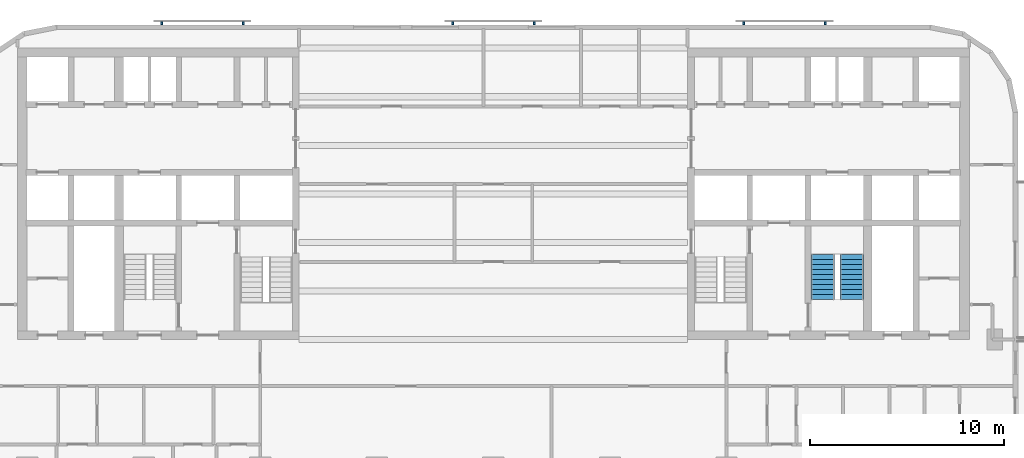
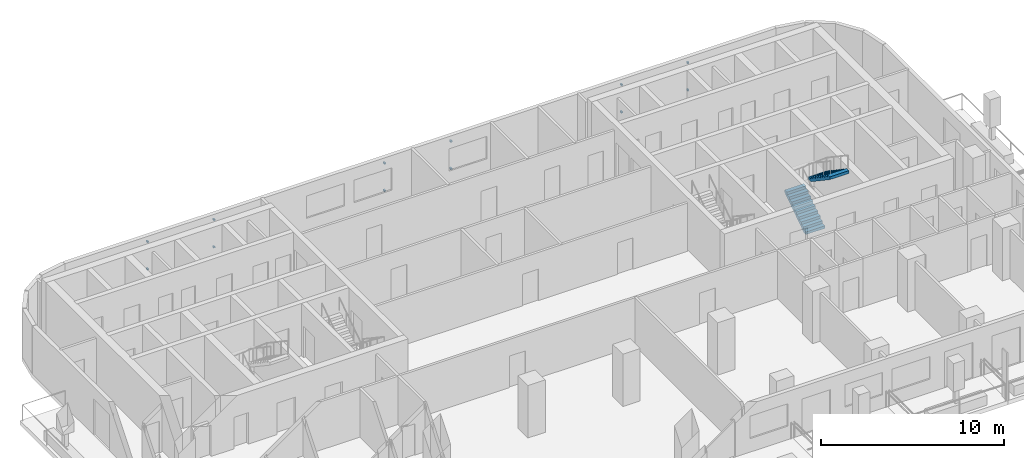
# One storey, part 8 of 11: 12 discrete accessories, 2 stair flights, 1 element without a shape of its own.
"""IFC4 building model written with IfcOpenShell, lengths in metres."""

from ifc_helpers import new_model, si_unit, direction, frame, origin, origin_2d, place, context, subcontext, project, spatial, polyline, rectangle, outline, extrude, material, type_object, element, aggregate, save


model = new_model("IFC4")

# Units and contexts
model_context = context("Model", 3, precision=1e-05, world=origin(), true_north=direction((0.0, 1.0)))
body_context = subcontext(model_context, "Body", "Model", "MODEL_VIEW")
ifc_project = project(units=[si_unit("LENGTHUNIT", "METRE"), si_unit("AREAUNIT", "SQUARE_METRE"), si_unit("VOLUMEUNIT", "CUBIC_METRE"), si_unit("PLANEANGLEUNIT", "RADIAN"), si_unit("MASSUNIT", "GRAM", prefix="KILO")], contexts=[model_context])

# Site, building, storey
site_placement = place(None, origin())
site = spatial("IfcSite", under=ifc_project, at=site_placement, CompositionType="ELEMENT")
building_placement = place(site_placement, origin())
building = spatial("IfcBuilding", under=site, at=building_placement, Name="Torana Hotel and Residences", CompositionType="ELEMENT")
storey_placement = place(building_placement, frame((0.0, 0.0, 204.60009765625)))
storey = spatial("IfcBuildingStorey", under=building, at=storey_placement, Name="L53", CompositionType="ELEMENT", Elevation=204.60009765625)

# Stair, stair flights
ifc_material_1 = material(Name="Concrete C40/50 precast", Category="concrete")
stair_type = type_object("IfcStairType", Name="STAIR ST4 HALF TURN 1200", PredefinedType="HALF_TURN_STAIR", material=ifc_material_1)
stair_placement = place(storey_placement, origin())
stair = element("IfcStair", 1, at=stair_placement, inside=storey, type_object=stair_type, Name="Stair ST4 L53", PredefinedType="HALF_TURN_STAIR")
ifc_material_2 = material(Name="Concrete C40/50 precast", Category="concrete")
stair_flight_type = type_object("IfcStairFlightType", Name="STAIR FLIGHT 1200 PRECAST", PredefinedType="STRAIGHT", material=ifc_material_2)
stair_flight_1_placement = place(storey_placement, frame((16.949951171875, -12.949951171875, 0.0), z_axis=(0.0, 0.0, 1.0), x_axis=(0.0, 1.0, 0.0)))
stair_flight_1 = element("IfcStairFlight", 2, at=stair_flight_1_placement, type_object=stair_flight_type, Name="ST4 flight 1", NumberOfRisers=10, NumberOfTreads=9, PredefinedType="STRAIGHT", RiserHeight=0.175, TreadLength=0.26, context=body_context, shape_type="SweptSolid", body=[
    extrude(outline(polyline([(0.0, 0.0), (0.0, 0.175048828125), (0.260009765625, 0.175048828125), (0.260009765625, 0.35009765625), (0.52001953125, 0.35009765625), (0.52001953125, 0.52490234375), (0.780029296875, 0.52490234375), (0.780029296875, 0.699951171875), (1.0400390625, 0.699951171875), (1.0400390625, 0.875), (1.300048828125, 0.875), (1.300048828125, 1.050048828125), (1.56005859375, 1.050048828125), (1.56005859375, 1.22509765625), (1.820068359375, 1.22509765625), (1.820068359375, 1.39990234375), (2.080078125, 1.39990234375), (2.080078125, 1.574951171875), (2.340087890625, 1.574951171875), (2.340087890625, 1.75), (2.340087890625, 1.394287109375), (0.2685546875, 0.0), (0.0, 0.0)])), frame((0.0, 0.60009765625, 0.0), z_axis=(0.0, -1.0, 0.0), x_axis=(1.0, 0.0, 0.0)), (0.0, 0.0, 1.0), 1.199951171875),
])
stair_flight_2_placement = place(storey_placement, frame((18.449951171875, -10.610107421875, 1.75), z_axis=(0.0, 0.0, 1.0), x_axis=(0.0, -1.0, 0.0)))
stair_flight_2 = element("IfcStairFlight", 3, at=stair_flight_2_placement, type_object=stair_flight_type, Name="ST4 flight 2", NumberOfRisers=10, NumberOfTreads=9, PredefinedType="STRAIGHT", RiserHeight=0.175, TreadLength=0.26, context=body_context, shape_type="SweptSolid", body=[
    extrude(outline(polyline([(0.0, 0.0), (0.0, 0.175048828125), (0.260009765625, 0.175048828125), (0.260009765625, 0.35009765625), (0.52001953125, 0.35009765625), (0.52001953125, 0.52490234375), (0.780029296875, 0.52490234375), (0.780029296875, 0.699951171875), (1.0400390625, 0.699951171875), (1.0400390625, 0.875), (1.300048828125, 0.875), (1.300048828125, 1.050048828125), (1.56005859375, 1.050048828125), (1.56005859375, 1.22509765625), (1.820068359375, 1.22509765625), (1.820068359375, 1.39990234375), (2.080078125, 1.39990234375), (2.080078125, 1.574951171875), (2.340087890625, 1.574951171875), (2.340087890625, 1.75), (2.340087890625, 1.394287109375), (0.2685546875, 0.0), (0.0, 0.0)])), frame((0.0, 0.60009765625, 0.0), z_axis=(0.0, -1.0, 0.0), x_axis=(1.0, 0.0, 0.0)), (0.0, 0.0, 1.0), 1.199951171875),
])
aggregate(stair, [stair_flight_1, stair_flight_2])

# Discrete accessories
ifc_material_3 = material(Name="Steel S355", Category="steel")
discrete_accessory_type = type_object("IfcDiscreteAccessoryType", Name="SCREEN BRACKET 100", PredefinedType="BRACKET", material=ifc_material_3)
for number, where, z_axis, x_axis, name in (
    (4, (17.08349609375, 1.27490234375, 0.749755859375), (0.0, 0.0, 1.0), (-1.0, 0.0, 0.0), "Screen bracket L53"),
    (5, (17.08349609375, 1.27490234375, 2.56982421875), (0.0, 0.0, 1.0), (-1.0, 0.0, 0.0), "Screen bracket L53"),
    (6, (12.883544921875, 1.27490234375, 0.749755859375), (0.0, 0.0, 1.0), (-1.0, 0.0, 0.0), "Screen bracket L53"),
    (7, (12.883544921875, 1.27490234375, 2.56982421875), (0.0, 0.0, 1.0), (-1.0, 0.0, 0.0), "Screen bracket L53"),
    (8, (2.10009765625, 1.27490234375, 0.749755859375), (0.0, 0.0, 1.0), (-1.0, 0.0, 0.0), "Screen bracket L53"),
    (9, (2.10009765625, 1.27490234375, 2.56982421875), (0.0, 0.0, 1.0), (-1.0, 0.0, 0.0), "Screen bracket L53"),
    (10, (-2.10009765625, 1.27490234375, 0.749755859375), (0.0, 0.0, 1.0), (-1.0, 0.0, 0.0), "Screen bracket L53"),
    (11, (-2.10009765625, 1.27490234375, 2.56982421875), (0.0, 0.0, 1.0), (-1.0, 0.0, 0.0), "Screen bracket L53"),
    (12, (-12.883544921875, 1.27490234375, 0.749755859375), (0.0, 0.0, 1.0), (-1.0, 0.0, 0.0), "Screen bracket L53"),
    (13, (-12.883544921875, 1.27490234375, 2.56982421875), (0.0, 0.0, 1.0), (-1.0, 0.0, 0.0), "Screen bracket L53"),
    (14, (-17.08349609375, 1.27490234375, 0.749755859375), (0.0, 0.0, 1.0), (-1.0, 0.0, 0.0), "Screen bracket L53"),
    (15, (-17.08349609375, 1.27490234375, 2.56982421875), (0.0, 0.0, 1.0), (-1.0, 0.0, 0.0), "Screen bracket L53"),
):
    element("IfcDiscreteAccessory", number, at=place(storey_placement, frame(where, z_axis=z_axis, x_axis=x_axis)), inside=storey, type_object=discrete_accessory_type, Name=name, PredefinedType="BRACKET", context=body_context, shape_type="SweptSolid", body=[
        extrude(rectangle(XDim=0.10009765625, YDim=0.14990234375, at=origin_2d()), origin(), (0.0, 0.0, 1.0), 0.10009765625),
    ])

save(model, "model.ifc")
